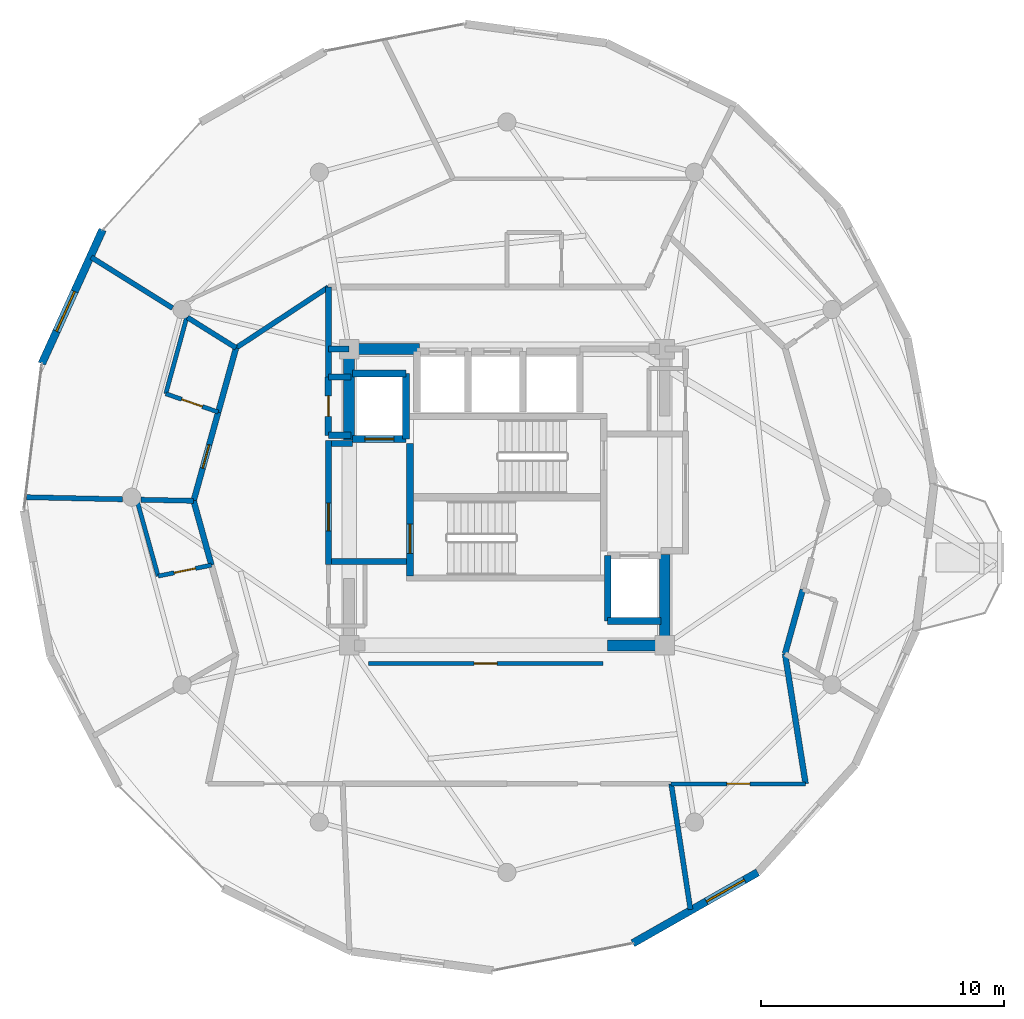
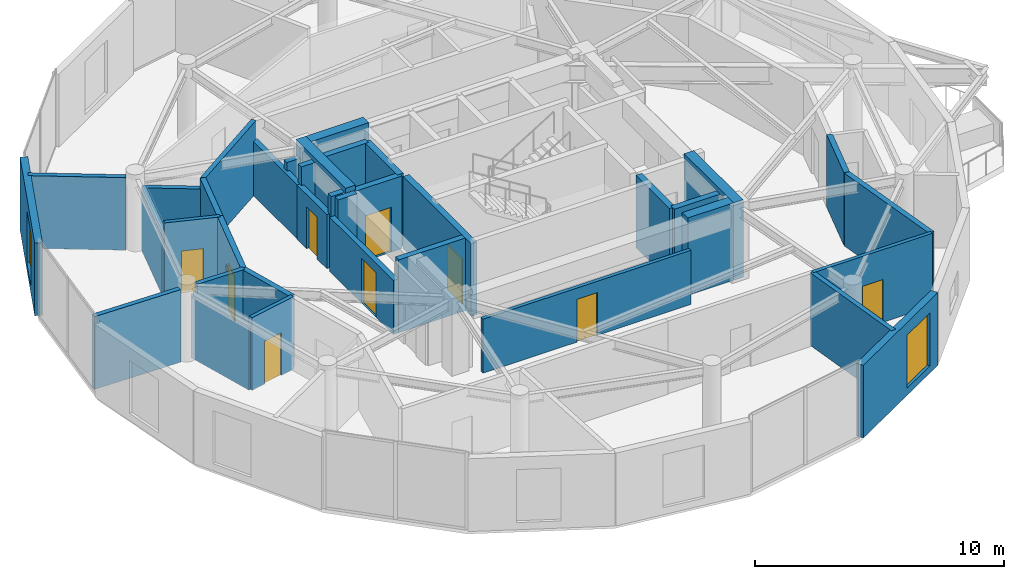
# One storey, part 14 of 18: 37 walls, 9 doors, 2 windows, 11 openings.
"""IFC4 building model written with IfcOpenShell, lengths in metres."""

from ifc_helpers import new_model, si_unit, direction, frame, frame_2d, origin, place, context, subcontext, project, spatial, rectangle, extrude, material, layer, layer_set, type_object, element, fill, save


model = new_model("IFC4")

# Units and contexts
model_context = context("Model", 3, precision=1e-05, world=origin(), true_north=direction((0.0, 1.0)))
body_context = subcontext(model_context, "Body", "Model", "MODEL_VIEW")
ifc_project = project(units=[si_unit("LENGTHUNIT", "METRE"), si_unit("AREAUNIT", "SQUARE_METRE"), si_unit("VOLUMEUNIT", "CUBIC_METRE"), si_unit("PLANEANGLEUNIT", "RADIAN"), si_unit("MASSUNIT", "GRAM", prefix="KILO")], contexts=[model_context])

# Site, building, storey
site_placement = place(None, origin())
site = spatial("IfcSite", under=ifc_project, at=site_placement, CompositionType="ELEMENT")
building_placement = place(site_placement, origin())
building = spatial("IfcBuilding", under=site, at=building_placement, Name="Solvirekh Grand Hotel", CompositionType="ELEMENT")
storey_placement = place(building_placement, frame((0.0, 0.0, 274.39990234375)))
storey = spatial("IfcBuildingStorey", under=building, at=storey_placement, Name="L71", CompositionType="ELEMENT", Elevation=274.39990234375)

# Wall, opening, door
ifc_material_1 = material(Name="Concrete C40/50", Category="concrete")
ifc_layer_1 = layer(ifc_material_1, 0.280029296875)
ifc_layer_set_1 = layer_set([ifc_layer_1], Name="Concrete C40/50")
wall_type_1 = type_object("IfcWallType", Name="CoreShaftWall_RC280", PredefinedType="SOLIDWALL", material=ifc_layer_set_1)
wall_1_placement = place(storey_placement, frame((-6.35009765625, 2.39990234375, 0.0), z_axis=(0.0, 0.0, 1.0), x_axis=(1.0, 0.0, 0.0)))
wall_1 = element("IfcWall", 1, at=wall_1_placement, inside=storey, type_object=wall_type_1, Name="L71 FL-1 hoistway S wall", PredefinedType="SOLIDWALL", context=body_context, shape_type="SweptSolid", body=[
    extrude(rectangle(XDim=2.2001953125, YDim=0.280029296875, at=frame_2d((1.10009765625, 0.0))), origin(), (0.0, 0.0, 1.0), 3.570068359375),
])
opening_1_placement = place(wall_1_placement, frame((0.5, 0.0, 0.0)))
opening_1 = element("IfcOpeningElement", 2, at=opening_1_placement, cuts=wall_1, Name="Opening LD02", PredefinedType="OPENING", context=body_context, shape_type="SweptSolid", body=[
    extrude(rectangle(XDim=1.199951171875, YDim=2.199951171875, at=frame_2d((0.60009765625, 1.10009765625))), frame((0.0, 0.14990234375, 0.0), z_axis=(0.0, -1.0, 0.0), x_axis=(1.0, 0.0, 0.0)), (0.0, 0.0, 1.0), 0.300048828125),
])
ifc_material_2 = material(Name="Fire-Rated Steel Door Assembly", Category="steel")
door_type_1 = type_object("IfcDoorType", Name="Door_LiftFF_1200X2200", OperationType="SLIDING_TO_LEFT", PredefinedType="DOOR", material=ifc_material_2)
door_1_placement = place(opening_1_placement, origin())
door_1 = element("IfcDoor", 3, at=door_1_placement, inside=storey, type_object=door_type_1, Name="L71 FL-1 sliding lift landing door", OperationType="SLIDING_TO_LEFT", OverallHeight=2.199951171875, OverallWidth=1.199951171875, PredefinedType="DOOR", context=body_context, shape_type="SweptSolid", body=[
    extrude(rectangle(XDim=1.199951171875, YDim=2.199951171875, at=frame_2d((0.60009765625, 1.10009765625))), frame((0.0, 0.02490234375, 0.0), z_axis=(0.0, -1.0, 0.0), x_axis=(1.0, 0.0, 0.0)), (0.0, 0.0, 1.0), 0.050048828125),
])
fill(opening_1, door_1)

# Walls
wall_2_placement = place(storey_placement, frame((-4.14990234375, 5.10009765625, 0.0), z_axis=(0.0, 0.0, 1.0), x_axis=(-1.0, 0.0, 0.0)))
element("IfcWall", 4, at=wall_2_placement, inside=storey, type_object=wall_type_1, Name="L71 FL-1 hoistway N wall", PredefinedType="SOLIDWALL", context=body_context, shape_type="SweptSolid", body=[
    extrude(rectangle(XDim=2.2001953125, YDim=0.280029296875, at=frame_2d((1.10009765625, 0.0))), origin(), (0.0, 0.0, 1.0), 3.570068359375),
])
wall_3_placement = place(storey_placement, frame((-4.14990234375, 2.39990234375, 0.0), z_axis=(0.0, 0.0, 1.0), x_axis=(0.0, 1.0, 0.0)))
element("IfcWall", 5, at=wall_3_placement, inside=storey, type_object=wall_type_1, Name="L71 FL-1 hoistway E wall", PredefinedType="SOLIDWALL", context=body_context, shape_type="SweptSolid", body=[
    extrude(rectangle(XDim=2.7001953125, YDim=0.280029296875, at=frame_2d((1.35009765625, 0.0))), origin(), (0.0, 0.0, 1.0), 3.570068359375),
])
wall_4_placement = place(storey_placement, frame((4.14990234375, -5.10009765625, 0.0), z_axis=(0.0, 0.0, 1.0), x_axis=(1.0, 0.0, 0.0)))
element("IfcWall", 6, at=wall_4_placement, inside=storey, type_object=wall_type_1, Name="L71 FL-2 hoistway S wall", PredefinedType="SOLIDWALL", context=body_context, shape_type="SweptSolid", body=[
    extrude(rectangle(XDim=2.2001953125, YDim=0.280029296875, at=frame_2d((1.10009765625, 0.0))), origin(), (0.0, 0.0, 1.0), 3.570068359375),
])
wall_5_placement = place(storey_placement, frame((4.14990234375, -2.39990234375, 0.0), z_axis=(0.0, 0.0, 1.0), x_axis=(0.0, -1.0, 0.0)))
element("IfcWall", 7, at=wall_5_placement, inside=storey, type_object=wall_type_1, Name="L71 FL-2 hoistway W wall", PredefinedType="SOLIDWALL", context=body_context, shape_type="SweptSolid", body=[
    extrude(rectangle(XDim=2.7001953125, YDim=0.280029296875, at=frame_2d((1.35009765625, 0.0))), origin(), (0.0, 0.0, 1.0), 3.570068359375),
])

# Wall, opening, door
wall_6_placement = place(storey_placement, frame((-3.989990234375, -3.25, 0.0), z_axis=(0.0, 0.0, 1.0), x_axis=(0.0, 1.0, 0.0)))
wall_6 = element("IfcWall", 8, at=wall_6_placement, inside=storey, type_object=wall_type_1, Name="L71 west stair landing enclosure wall", PredefinedType="SOLIDWALL", context=body_context, shape_type="SweptSolid", body=[
    extrude(rectangle(XDim=5.4599609375, YDim=0.280029296875, at=frame_2d((2.72998046875, 0.0))), origin(), (0.0, 0.0, 1.0), 3.570068359375),
])
opening_2_placement = place(wall_6_placement, frame((0.93701171875, 0.0, 0.0)))
opening_2 = element("IfcOpeningElement", 9, at=opening_2_placement, cuts=wall_6, Name="Opening D05", PredefinedType="OPENING", context=body_context, shape_type="SweptSolid", body=[
    extrude(rectangle(XDim=1.199951171875, YDim=2.199951171875, at=frame_2d((0.60009765625, 1.10009765625))), frame((0.0, 0.14990234375, 0.0), z_axis=(0.0, -1.0, 0.0), x_axis=(1.0, 0.0, 0.0)), (0.0, 0.0, 1.0), 0.300048828125),
])
door_type_2 = type_object("IfcDoorType", Name="Door_StairCore_1200X2200", OperationType="NOTDEFINED", PredefinedType="DOOR", material=ifc_material_2)
door_2_placement = place(opening_2_placement, origin())
door_2 = element("IfcDoor", 10, at=door_2_placement, inside=storey, type_object=door_type_2, Name="L71 exit stair ST-1 fire door", OperationType="SINGLE_SWING_RIGHT", OverallHeight=2.199951171875, OverallWidth=1.199951171875, PredefinedType="DOOR", context=body_context, shape_type="SweptSolid", body=[
    extrude(rectangle(XDim=1.199951171875, YDim=2.199951171875, at=frame_2d((0.60009765625, 1.10009765625))), frame((0.0, 0.02490234375, 0.0), z_axis=(0.0, -1.0, 0.0), x_axis=(1.0, 0.0, 0.0)), (0.0, 0.0, 1.0), 0.050048828125),
])
fill(opening_2, door_2)

# Walls
ifc_material_3 = material(Name="Concrete C50/60", Category="concrete")
ifc_layer_2 = layer(ifc_material_3, 0.449951171875)
ifc_layer_set_2 = layer_set([ifc_layer_2], Name="Concrete C50/60")
wall_type_2 = type_object("IfcWallType", Name="CoreWall_RC450", PredefinedType="SHEAR", material=ifc_layer_set_2)
wall_7_placement = place(storey_placement, frame((4.14990234375, -6.10009765625, 0.0), z_axis=(0.0, 0.0, 1.0), x_axis=(1.0, 0.0, 0.0)))
element("IfcWall", 11, at=wall_7_placement, inside=storey, type_object=wall_type_2, Name="L71 core corner shear wall SE-S", PredefinedType="SHEAR", context=body_context, shape_type="SweptSolid", body=[
    extrude(rectangle(XDim=2.125, YDim=0.449951171875, at=frame_2d((1.0625, 0.0))), origin(), (0.0, 0.0, 1.0), 3.800048828125),
])
wall_8_placement = place(storey_placement, frame((-6.27490234375, 6.10009765625, 0.0), z_axis=(0.0, 0.0, 1.0), x_axis=(1.0, 0.0, 0.0)))
element("IfcWall", 12, at=wall_8_placement, inside=storey, type_object=wall_type_2, Name="L71 core corner shear wall NW-N", PredefinedType="SHEAR", context=body_context, shape_type="SweptSolid", body=[
    extrude(rectangle(XDim=2.6748046875, YDim=0.449951171875, at=frame_2d((1.33740234375, 0.0))), origin(), (0.0, 0.0, 1.0), 3.800048828125),
])
for number, where, z_axis, x_axis, name in (
    (13, (-6.5, 2.35009765625, 0.0), (0.0, 0.0, 1.0), (0.0, 1.0, 0.0), "L71 core corner shear wall WN-W"),
    (14, (6.5, -6.324951171875, 0.0), (0.0, 0.0, 1.0), (0.0, 1.0, 0.0), "L71 core corner shear wall ES-E"),
):
    element("IfcWall", number, at=place(storey_placement, frame(where, z_axis=z_axis, x_axis=x_axis)), inside=storey, type_object=wall_type_2, Name=name, PredefinedType="SHEAR", context=body_context, shape_type="SweptSolid", body=[
        extrude(rectangle(XDim=3.974853515625, YDim=0.449951171875, at=frame_2d((1.9873046875, 0.0))), origin(), (0.0, 0.0, 1.0), 3.800048828125),
    ])

# Wall, opening, window
ifc_material_4 = material(Name="Precast concrete C45/55", Category="concrete")
ifc_layer_3 = layer(ifc_material_4, 0.320068359375)
ifc_layer_set_3 = layer_set([ifc_layer_3], Name="Precast concrete C45/55")
wall_type_3 = type_object("IfcWallType", Name="ExtLobbyWall_RC320", PredefinedType="SOLIDWALL", material=ifc_layer_set_3)
wall_9_placement = place(storey_placement, frame((10.3291015625, -15.446044921875, 0.0), z_axis=(0.0, 0.0, 1.0), x_axis=(-0.869520200799, -0.493897378413, 0.0)))
wall_9 = element("IfcWall", 15, at=wall_9_placement, inside=storey, type_object=wall_type_3, Name="L71 exterior structural wall chord 2", PredefinedType="SOLIDWALL", context=body_context, shape_type="SweptSolid", body=[
    extrude(rectangle(XDim=5.916015625, YDim=0.320068359375, at=frame_2d((2.9580078125, 0.0))), origin(), (0.0, 0.0, 1.0), 3.570068359375),
])
opening_3_placement = place(wall_9_placement, frame((0.632080078125, 0.0, 0.35009765625)))
opening_3 = element("IfcOpeningElement", 16, at=opening_3_placement, cuts=wall_9, Name="Opening W02", PredefinedType="OPENING", context=body_context, shape_type="SweptSolid", body=[
    extrude(rectangle(XDim=1.800048828125, YDim=2.60009765625, at=frame_2d((0.89990234375, 1.300048828125))), frame((0.0, 0.169921875, 0.0), z_axis=(0.0, -1.0, 0.0), x_axis=(1.0, 0.0, 0.0)), (0.0, 0.0, 1.0), 0.340087890625),
])
ifc_material_5 = material(Name="Low-E Tinted Bronze Laminated Glass", Category="aluminium")
window_type = type_object("IfcWindowType", Name="Win_LobbyExt_1800X2600", PartitioningType="SINGLE_PANEL", PredefinedType="WINDOW", material=ifc_material_5)
window_1_placement = place(opening_3_placement, origin())
window_1 = element("IfcWindow", 17, at=window_1_placement, inside=storey, type_object=window_type, Name="L71 panoramic bronze-framed window 2", OverallHeight=2.60009765625, OverallWidth=1.800048828125, PartitioningType="SINGLE_PANEL", PredefinedType="WINDOW", context=body_context, shape_type="SweptSolid", body=[
    extrude(rectangle(XDim=1.800048828125, YDim=2.60009765625, at=frame_2d((0.89990234375, 1.300048828125))), frame((0.0, 0.030029296875, 0.0), z_axis=(0.0, -1.0, 0.0), x_axis=(1.0, 0.0, 0.0)), (0.0, 0.0, 1.0), 0.06005859375),
])
fill(opening_3, window_1)

wall_10_placement = place(storey_placement, frame((-19.15087890625, 5.5, 0.0), z_axis=(0.0, 0.0, 1.0), x_axis=(0.413325805639, 0.910583207836, 0.0)))
wall_10 = element("IfcWall", 18, at=wall_10_placement, inside=storey, type_object=wall_type_3, Name="L71 exterior structural wall chord 14", PredefinedType="SOLIDWALL", context=body_context, shape_type="SweptSolid", body=[
    extrude(rectangle(XDim=6.05322265625, YDim=0.320068359375, at=frame_2d((3.026611328125, 0.0))), origin(), (0.0, 0.0, 1.0), 3.570068359375),
])
opening_4_placement = place(wall_10_placement, frame((1.466064453125, 0.0, 0.35009765625)))
opening_4 = element("IfcOpeningElement", 19, at=opening_4_placement, cuts=wall_10, Name="Opening W02", PredefinedType="OPENING", context=body_context, shape_type="SweptSolid", body=[
    extrude(rectangle(XDim=1.800048828125, YDim=2.60009765625, at=frame_2d((0.89990234375, 1.300048828125))), frame((0.0, 0.169921875, 0.0), z_axis=(0.0, -1.0, 0.0), x_axis=(1.0, 0.0, 0.0)), (0.0, 0.0, 1.0), 0.340087890625),
])
window_2_placement = place(opening_4_placement, origin())
window_2 = element("IfcWindow", 20, at=window_2_placement, inside=storey, type_object=window_type, Name="L71 panoramic bronze-framed window 14", OverallHeight=2.60009765625, OverallWidth=1.800048828125, PartitioningType="SINGLE_PANEL", PredefinedType="WINDOW", context=body_context, shape_type="SweptSolid", body=[
    extrude(rectangle(XDim=1.800048828125, YDim=2.60009765625, at=frame_2d((0.89990234375, 1.300048828125))), frame((0.0, 0.030029296875, 0.0), z_axis=(0.0, -1.0, 0.0), x_axis=(1.0, 0.0, 0.0)), (0.0, 0.0, 1.0), 0.06005859375),
])
fill(opening_4, window_2)

# Wall, opening, door
ifc_material_6 = material(Name="Acoustic Gypsum Partition Assembly")
ifc_layer_4 = layer(ifc_material_6, 0.1650390625)
ifc_layer_set_4 = layer_set([ifc_layer_4], Name="Acoustic Gypsum Partition Assembly")
wall_type_4 = type_object("IfcWallType", Name="Part_BOH_165", PredefinedType="PARTITIONING", material=ifc_layer_set_4)
wall_11_placement = place(storey_placement, frame((-5.699951171875, -6.85009765625, 0.0), z_axis=(0.0, 0.0, 1.0), x_axis=(1.0, 0.0, 0.0)))
wall_11 = element("IfcWall", 21, at=wall_11_placement, inside=storey, type_object=wall_type_4, Name="L71 Housekeeping & Linen Store wall 1", PredefinedType="PARTITIONING", context=body_context, shape_type="SweptSolid", body=[
    extrude(rectangle(XDim=9.64990234375, YDim=0.1650390625, at=frame_2d((4.824951171875, 0.0))), origin(), (0.0, 0.0, 1.0), 2.655029296875),
])
opening_5_placement = place(wall_11_placement, frame((4.35009765625, 0.0, 0.0)))
opening_5 = element("IfcOpeningElement", 22, at=opening_5_placement, cuts=wall_11, Name="Opening D10", PredefinedType="OPENING", context=body_context, shape_type="SweptSolid", body=[
    extrude(rectangle(XDim=0.949951171875, YDim=2.10009765625, at=frame_2d((0.47509765625, 1.050048828125))), frame((0.0, 0.092529296875, 0.0), z_axis=(0.0, -1.0, 0.0), x_axis=(1.0, 0.0, 0.0)), (0.0, 0.0, 1.0), 0.18505859375),
])
ifc_material_7 = material(Name="Anodized Bronze Aluminium 6063-T6", Category="aluminium")
door_type_3 = type_object("IfcDoorType", Name="Door_RoomInt_950X2100", OperationType="NOTDEFINED", PredefinedType="DOOR", material=ifc_material_7)
door_3_placement = place(opening_5_placement, origin())
door_3 = element("IfcDoor", 23, at=door_3_placement, inside=storey, type_object=door_type_3, Name="L71 Housekeeping & Linen Store door", OperationType="SINGLE_SWING_LEFT", OverallHeight=2.10009765625, OverallWidth=0.949951171875, PredefinedType="DOOR", context=body_context, shape_type="SweptSolid", body=[
    extrude(rectangle(XDim=0.949951171875, YDim=2.10009765625, at=frame_2d((0.47509765625, 1.050048828125))), frame((0.0, 0.02490234375, 0.0), z_axis=(0.0, -1.0, 0.0), x_axis=(1.0, 0.0, 0.0)), (0.0, 0.0, 1.0), 0.050048828125),
])
fill(opening_5, door_3)

wall_12_placement = place(storey_placement, frame((6.764892578125, -11.800048828125, 0.0), z_axis=(0.0, 0.0, 1.0), x_axis=(1.0, 0.0, 0.0)))
wall_12 = element("IfcWall", 24, at=wall_12_placement, inside=storey, type_object=wall_type_4, Name="L71 L71 Butler Valet & Linen Steward Room entrance wall", PredefinedType="PARTITIONING", context=body_context, shape_type="SweptSolid", body=[
    extrude(rectangle(XDim=5.53515625, YDim=0.1650390625, at=frame_2d((2.767578125, 0.0))), origin(), (0.0, 0.0, 1.0), 3.570068359375),
])
opening_6_placement = place(wall_12_placement, frame((2.29296875, 0.0, 0.0)))
opening_6 = element("IfcOpeningElement", 25, at=opening_6_placement, cuts=wall_12, Name="Opening D10", PredefinedType="OPENING", context=body_context, shape_type="SweptSolid", body=[
    extrude(rectangle(XDim=0.949951171875, YDim=2.10009765625, at=frame_2d((0.47509765625, 1.050048828125))), frame((0.0, 0.092529296875, 0.0), z_axis=(0.0, -1.0, 0.0), x_axis=(1.0, 0.0, 0.0)), (0.0, 0.0, 1.0), 0.18505859375),
])
door_4_placement = place(opening_6_placement, origin())
door_4 = element("IfcDoor", 26, at=door_4_placement, inside=storey, type_object=door_type_3, Name="L71 L71 Butler Valet & Linen Steward Room entrance door", OperationType="SINGLE_SWING_RIGHT", OverallHeight=2.10009765625, OverallWidth=0.949951171875, PredefinedType="DOOR", context=body_context, shape_type="SweptSolid", body=[
    extrude(rectangle(XDim=0.949951171875, YDim=2.10009765625, at=frame_2d((0.47509765625, 1.050048828125))), frame((0.0, 0.02490234375, 0.0), z_axis=(0.0, -1.0, 0.0), x_axis=(1.0, 0.0, 0.0)), (0.0, 0.0, 1.0), 0.050048828125),
])
fill(opening_6, door_4)

ifc_layer_5 = layer(ifc_material_6, 0.239990234375)
ifc_layer_set_5 = layer_set([ifc_layer_5], Name="Acoustic Gypsum Partition Assembly")
wall_type_5 = type_object("IfcWallType", Name="Part_Corridor_240", PredefinedType="PARTITIONING", material=ifc_layer_set_5)
wall_13_placement = place(storey_placement, frame((-7.35009765625, -2.780029296875, 0.0), z_axis=(0.0, 0.0, 1.0), x_axis=(0.0, 1.0, 0.0)))
wall_13 = element("IfcWall", 27, at=wall_13_placement, inside=storey, type_object=wall_type_5, Name="L71 west firefighting lobby smoke screen wall", PredefinedType="PARTITIONING", context=body_context, shape_type="SweptSolid", body=[
    extrude(rectangle(XDim=5.1201171875, YDim=0.239990234375, at=frame_2d((2.56005859375, 0.0))), origin(), (0.0, 0.0, 1.0), 2.655029296875),
])
opening_7_placement = place(wall_13_placement, frame((1.388916015625, 0.0, 0.0)))
opening_7 = element("IfcOpeningElement", 28, at=opening_7_placement, cuts=wall_13, Name="Opening D06", PredefinedType="OPENING", context=body_context, shape_type="SweptSolid", body=[
    extrude(rectangle(XDim=1.14990234375, YDim=2.199951171875, at=frame_2d((0.574951171875, 1.10009765625))), frame((0.0, 0.1298828125, 0.0), z_axis=(0.0, -1.0, 0.0), x_axis=(1.0, 0.0, 0.0)), (0.0, 0.0, 1.0), 0.260009765625),
])
door_type_4 = type_object("IfcDoorType", Name="Door_FFLobby_1150X2200", OperationType="NOTDEFINED", PredefinedType="DOOR", material=ifc_material_2)
door_5_placement = place(opening_7_placement, origin())
door_5 = element("IfcDoor", 29, at=door_5_placement, inside=storey, type_object=door_type_4, Name="L71 west firefighting lobby smoke door", OperationType="SINGLE_SWING_RIGHT", OverallHeight=2.199951171875, OverallWidth=1.14990234375, PredefinedType="DOOR", context=body_context, shape_type="SweptSolid", body=[
    extrude(rectangle(XDim=1.14990234375, YDim=2.199951171875, at=frame_2d((0.574951171875, 1.10009765625))), frame((0.0, 0.02490234375, 0.0), z_axis=(0.0, -1.0, 0.0), x_axis=(1.0, 0.0, 0.0)), (0.0, 0.0, 1.0), 0.050048828125),
])
fill(opening_7, door_5)

# Walls
wall_14_placement = place(storey_placement, frame((-7.35009765625, 4.949951171875, 0.0), z_axis=(0.0, 0.0, 1.0), x_axis=(0.0, 1.0, 0.0)))
element("IfcWall", 30, at=wall_14_placement, inside=storey, type_object=wall_type_5, Name="L71 north lift lobby west wall", PredefinedType="PARTITIONING", context=body_context, shape_type="SweptSolid", body=[
    extrude(rectangle(XDim=3.699951171875, YDim=0.239990234375, at=frame_2d((1.85009765625, 0.0))), origin(), (0.0, 0.0, 1.0), 2.655029296875),
])
wall_15_placement = place(storey_placement, frame((-7.35009765625, 6.10009765625, 0.0), z_axis=(0.0, 0.0, 1.0), x_axis=(1.0, 0.0, 0.0)))
element("IfcWall", 31, at=wall_15_placement, inside=storey, type_object=wall_type_5, Name="L71 NW core corner closure wall", PredefinedType="PARTITIONING", context=body_context, shape_type="SweptSolid", body=[
    extrude(rectangle(XDim=0.85009765625, YDim=0.239990234375, at=frame_2d((0.425048828125, 0.0))), origin(), (0.0, 0.0, 1.0), 3.086181640625),
])
wall_16_placement = place(storey_placement, frame((-11.152099609375, 6.14990234375, 0.0), z_axis=(0.0, 0.0, 1.0), x_axis=(-0.267267816759, -0.963622288101, 0.0)))
element("IfcWall", 32, at=wall_16_placement, inside=storey, type_object=wall_type_5, Name="L71 En-suite Bathroom 7302 corridor backing wall", PredefinedType="PARTITIONING", context=body_context, shape_type="SweptSolid", body=[
    extrude(rectangle(XDim=2.745849609375, YDim=0.239990234375, at=frame_2d((1.373046875, 0.0))), origin(), (0.0, 0.0, 1.0), 3.570068359375),
])

# Wall, opening, door
wall_17_placement = place(storey_placement, frame((-11.885986328125, 3.50390625, 0.0), z_axis=(0.0, 0.0, 1.0), x_axis=(-0.267391479621, -0.96358798074, 0.0)))
wall_17 = element("IfcWall", 33, at=wall_17_placement, inside=storey, type_object=wall_type_5, Name="L71 Deluxe Guestroom 7302 entrance wall", PredefinedType="PARTITIONING", context=body_context, shape_type="SweptSolid", body=[
    extrude(rectangle(XDim=3.7919921875, YDim=0.239990234375, at=frame_2d((1.89599609375, 0.0))), origin(), (0.0, 0.0, 1.0), 3.570068359375),
])
opening_8_placement = place(wall_17_placement, frame((1.39599609375, 0.0, 0.0)))
opening_8 = element("IfcOpeningElement", 34, at=opening_8_placement, cuts=wall_17, Name="Opening D07", PredefinedType="OPENING", context=body_context, shape_type="SweptSolid", body=[
    extrude(rectangle(XDim=1.0, YDim=2.199951171875, at=frame_2d((0.5, 1.10009765625))), frame((0.0, 0.1298828125, 0.0), z_axis=(0.0, -1.0, 0.0), x_axis=(1.0, 0.0, 0.0)), (0.0, 0.0, 1.0), 0.260009765625),
])
door_type_5 = type_object("IfcDoorType", Name="Door_GuestEntry_1000X2200", OperationType="NOTDEFINED", PredefinedType="DOOR", material=ifc_material_2)
door_6_placement = place(opening_8_placement, origin())
door_6 = element("IfcDoor", 35, at=door_6_placement, inside=storey, type_object=door_type_5, Name="L71 Deluxe Guestroom 7302 entrance door", OperationType="SINGLE_SWING_LEFT", OverallHeight=2.199951171875, OverallWidth=1.0, PredefinedType="DOOR", context=body_context, shape_type="SweptSolid", body=[
    extrude(rectangle(XDim=1.0, YDim=2.199951171875, at=frame_2d((0.5, 1.10009765625))), frame((0.0, 0.02490234375, 0.0), z_axis=(0.0, -1.0, 0.0), x_axis=(1.0, 0.0, 0.0)), (0.0, 0.0, 1.0), 0.050048828125),
])
fill(opening_8, door_6)

# Walls
for number, where, z_axis, x_axis, name in (
    (36, (-12.89990234375, -0.14990234375, 0.0), (0.0, 0.0, 1.0), (0.267267816759, -0.963622288101, 0.0), "L71 En-suite Bathroom 7303 corridor backing wall"),
    (37, (11.451904296875, -6.449951171875, 0.0), (0.0, 0.0, 1.0), (0.267350374135, 0.963599386389, 0.0), "L71 En-suite Bathroom 7304 corridor backing wall"),
):
    element("IfcWall", number, at=place(storey_placement, frame(where, z_axis=z_axis, x_axis=x_axis)), inside=storey, type_object=wall_type_5, Name=name, PredefinedType="PARTITIONING", context=body_context, shape_type="SweptSolid", body=[
        extrude(rectangle(XDim=2.745849609375, YDim=0.239990234375, at=frame_2d((1.373046875, 0.0))), origin(), (0.0, 0.0, 1.0), 3.570068359375),
    ])
wall_18_placement = place(storey_placement, frame((12.300048828125, -11.800048828125, 0.0), z_axis=(0.0, 0.0, 1.0), x_axis=(-0.156573548098, 0.987666301964, 0.0)))
element("IfcWall", 38, at=wall_18_placement, inside=storey, type_object=wall_type_5, Name="L71 L71 Butler Valet & Linen Steward Room corridor wall 1", PredefinedType="PARTITIONING", context=body_context, shape_type="SweptSolid", body=[
    extrude(rectangle(XDim=5.4169921875, YDim=0.239990234375, at=frame_2d((2.70849609375, 0.0))), origin(), (0.0, 0.0, 1.0), 3.570068359375),
])
ifc_layer_6 = layer(ifc_material_6, 0.260009765625)
ifc_layer_set_6 = layer_set([ifc_layer_6], Name="Acoustic Gypsum Partition Assembly")
wall_type_6 = type_object("IfcWallType", Name="Part_LobbyFF_260", PredefinedType="PARTITIONING", material=ifc_layer_set_6)
wall_19_placement = place(storey_placement, frame((-7.22509765625, -2.64990234375, 0.0), z_axis=(0.0, 0.0, 1.0), x_axis=(1.0, 0.0, 0.0)))
element("IfcWall", 39, at=wall_19_placement, inside=storey, type_object=wall_type_6, Name="L71 west firefighting lobby south partition", PredefinedType="PARTITIONING", context=body_context, shape_type="SweptSolid", body=[
    extrude(rectangle(XDim=3.09521484375, YDim=0.260009765625, at=frame_2d((1.547607421875, 0.0))), origin(), (0.0, 0.0, 1.0), 3.570068359375),
])
wall_20_placement = place(storey_placement, frame((-7.22509765625, 2.2099609375, 0.0), z_axis=(0.0, 0.0, 1.0), x_axis=(1.0, 0.0, 0.0)))
element("IfcWall", 40, at=wall_20_placement, inside=storey, type_object=wall_type_6, Name="L71 west firefighting lobby NW cheek", PredefinedType="PARTITIONING", context=body_context, shape_type="SweptSolid", body=[
    extrude(rectangle(XDim=0.875, YDim=0.260009765625, at=frame_2d((0.4375, 0.0))), origin(), (0.0, 0.0, 1.0), 3.570068359375),
])
for number, where, z_axis, x_axis, name in (
    (41, (-7.35009765625, 4.949951171875, 0.0), (0.0, 0.0, 1.0), (1.0, 0.0, 0.0), "L71 NW telecom metering cupboard north wall"),
    (42, (-7.35009765625, 2.550048828125, 0.0), (0.0, 0.0, 1.0), (1.0, 0.0, 0.0), "L71 NW telecom metering cupboard south wall"),
):
    element("IfcWall", number, at=place(storey_placement, frame(where, z_axis=z_axis, x_axis=x_axis)), inside=storey, type_object=wall_type_6, Name=name, PredefinedType="PARTITIONING", context=body_context, shape_type="SweptSolid", body=[
        extrude(rectangle(XDim=0.93017578125, YDim=0.260009765625, at=frame_2d((0.465087890625, 0.0))), origin(), (0.0, 0.0, 1.0), 3.570068359375),
    ])

# Wall, opening, door
wall_21_placement = place(storey_placement, frame((-7.35009765625, 2.550048828125, 0.0), z_axis=(0.0, 0.0, 1.0), x_axis=(0.0, 1.0, 0.0)))
wall_21 = element("IfcWall", 43, at=wall_21_placement, inside=storey, type_object=wall_type_6, Name="L71 NW telecom metering cupboard access wall", PredefinedType="PARTITIONING", context=body_context, shape_type="SweptSolid", body=[
    extrude(rectangle(XDim=2.39990234375, YDim=0.260009765625, at=frame_2d((1.199951171875, 0.0))), origin(), (0.0, 0.0, 1.0), 2.655029296875),
])
opening_9_placement = place(wall_21_placement, frame((0.77490234375, 0.0, 0.0)))
opening_9 = element("IfcOpeningElement", 44, at=opening_9_placement, cuts=wall_21, Name="Opening D13", PredefinedType="OPENING", context=body_context, shape_type="SweptSolid", body=[
    extrude(rectangle(XDim=0.85009765625, YDim=2.050048828125, at=frame_2d((0.425048828125, 1.02490234375))), frame((0.0, 0.14013671875, 0.0), z_axis=(0.0, -1.0, 0.0), x_axis=(1.0, 0.0, 0.0)), (0.0, 0.0, 1.0), 0.280029296875),
])
door_type_6 = type_object("IfcDoorType", Name="Door_RiserShaft_850X2050", OperationType="NOTDEFINED", PredefinedType="DOOR", material=ifc_material_2)
door_7_placement = place(opening_9_placement, origin())
door_7 = element("IfcDoor", 45, at=door_7_placement, inside=storey, type_object=door_type_6, Name="L71 telecom metering cupboard access door", OperationType="SINGLE_SWING_RIGHT", OverallHeight=2.050048828125, OverallWidth=0.85009765625, PredefinedType="DOOR", context=body_context, shape_type="SweptSolid", body=[
    extrude(rectangle(XDim=0.85009765625, YDim=2.050048828125, at=frame_2d((0.425048828125, 1.02490234375))), frame((0.0, 0.02490234375, 0.0), z_axis=(0.0, -1.0, 0.0), x_axis=(1.0, 0.0, 0.0)), (0.0, 0.0, 1.0), 0.050048828125),
])
fill(opening_9, door_7)

# Walls
ifc_layer_7 = layer(ifc_material_6, 0.2099609375)
ifc_layer_set_7 = layer_set([ifc_layer_7], Name="Acoustic Gypsum Partition Assembly")
wall_type_7 = type_object("IfcWallType", Name="Part_SuiteDemise_210", PredefinedType="PARTITIONING", material=ifc_layer_set_7)
wall_22_placement = place(storey_placement, frame((-11.152099609375, 6.14990234375, 0.0), z_axis=(0.0, 0.0, 1.0), x_axis=(-0.847696016943, 0.530482292692, 0.0)))
element("IfcWall", 46, at=wall_22_placement, inside=storey, type_object=wall_type_7, Name="L71 suite radial wall 6 (A)", PredefinedType="PARTITIONING", context=body_context, shape_type="SweptSolid", body=[
    extrude(rectangle(XDim=2.360595703125, YDim=0.2099609375, at=frame_2d((1.18017578125, 0.0))), origin(), (0.0, 0.0, 1.0), 3.086181640625),
])
wall_23_placement = place(storey_placement, frame((-13.77001953125, 7.7880859375, 0.0), z_axis=(0.0, 0.0, 1.0), x_axis=(-0.84770992622, 0.530460065404, 0.0)))
element("IfcWall", 47, at=wall_23_placement, inside=storey, type_object=wall_type_7, Name="L71 suite radial wall 6 (B)", PredefinedType="PARTITIONING", context=body_context, shape_type="SweptSolid", body=[
    extrude(rectangle(XDim=3.949462890625, YDim=0.2099609375, at=frame_2d((1.974609375, 0.0))), origin(), (0.0, 0.0, 1.0), 3.570068359375),
])
wall_24_placement = place(storey_placement, frame((-12.89990234375, -0.14990234375, 0.0), z_axis=(0.0, 0.0, 1.0), x_axis=(-0.999766597487, 0.021604410435, 0.0)))
element("IfcWall", 48, at=wall_24_placement, inside=storey, type_object=wall_type_7, Name="L71 suite radial wall 7 (A)", PredefinedType="PARTITIONING", context=body_context, shape_type="SweptSolid", body=[
    extrude(rectangle(XDim=2.169677734375, YDim=0.2099609375, at=frame_2d((1.0849609375, 0.0))), origin(), (0.0, 0.0, 1.0), 3.570068359375),
])
wall_25_placement = place(storey_placement, frame((-15.8359375, -0.0859375, 0.0), z_axis=(0.0, 0.0, 1.0), x_axis=(-0.999763292221, 0.021756827132, 0.0)))
element("IfcWall", 49, at=wall_25_placement, inside=storey, type_object=wall_type_7, Name="L71 suite radial wall 7 (B)", PredefinedType="PARTITIONING", context=body_context, shape_type="SweptSolid", body=[
    extrude(rectangle(XDim=3.949951171875, YDim=0.2099609375, at=frame_2d((1.97509765625, 0.0))), origin(), (0.0, 0.0, 1.0), 3.570068359375),
])
wall_26_placement = place(storey_placement, frame((-11.152099609375, 6.14990234375, 0.0), z_axis=(0.0, 0.0, 1.0), x_axis=(0.835549960432, 0.549414473437, 0.0)))
element("IfcWall", 50, at=wall_26_placement, inside=storey, type_object=wall_type_7, Name="L71 Panorama Suite 7301 Inner Suite Lounge dividing partition 1", PredefinedType="PARTITIONING", context=body_context, shape_type="SweptSolid", body=[
    extrude(rectangle(XDim=4.55029296875, YDim=0.2099609375, at=frame_2d((2.275146484375, 0.0))), origin(), (0.0, 0.0, 1.0), 3.570068359375),
])
wall_27_placement = place(storey_placement, frame((6.764892578125, -11.800048828125, 0.0), z_axis=(0.0, 0.0, 1.0), x_axis=(0.15150701221, -0.988456182767, 0.0)))
element("IfcWall", 51, at=wall_27_placement, inside=storey, type_object=wall_type_7, Name="L71 L71 Riverfront Reading Lounge dividing partition 1", PredefinedType="PARTITIONING", context=body_context, shape_type="SweptSolid", body=[
    extrude(rectangle(XDim=5.235595703125, YDim=0.2099609375, at=frame_2d((2.61767578125, 0.0))), origin(), (0.0, 0.0, 1.0), 3.570068359375),
])
ifc_layer_8 = layer(ifc_material_6, 0.175048828125)
ifc_layer_set_8 = layer_set([ifc_layer_8], Name="Acoustic Gypsum Partition Assembly")
wall_type_8 = type_object("IfcWallType", Name="Plumb_Ensuite_175", PredefinedType="PLUMBINGWALL", material=ifc_layer_set_8)
wall_28_placement = place(storey_placement, frame((-13.179931640625, 7.4189453125, 0.0), z_axis=(0.0, 0.0, 1.0), x_axis=(-0.264530676723, -0.96437727113, 0.0)))
element("IfcWall", 52, at=wall_28_placement, inside=storey, type_object=wall_type_8, Name="L71 En-suite Bathroom 7302 outer plumbing wall", PredefinedType="PLUMBINGWALL", context=body_context, shape_type="SweptSolid", body=[
    extrude(rectangle(XDim=3.273681640625, YDim=0.175048828125, at=frame_2d((1.63671875, 0.0))), origin(), (0.0, 0.0, 1.0), 3.13818359375),
])

# Wall, opening, door
wall_29_placement = place(storey_placement, frame((-11.885986328125, 3.50390625, 0.0), z_axis=(0.0, 0.0, 1.0), x_axis=(-0.943573673541, 0.331162682982, 0.0)))
wall_29 = element("IfcWall", 53, at=wall_29_placement, inside=storey, type_object=wall_type_8, Name="L71 En-suite Bathroom 7302 entry plumbing wall", PredefinedType="PLUMBINGWALL", context=body_context, shape_type="SweptSolid", body=[
    extrude(rectangle(XDim=2.2890625, YDim=0.175048828125, at=frame_2d((1.14453125, 0.0))), origin(), (0.0, 0.0, 1.0), 3.570068359375),
])
opening_10_placement = place(wall_29_placement, frame((0.695068359375, 0.0, 0.0)))
opening_10 = element("IfcOpeningElement", 54, at=opening_10_placement, cuts=wall_29, Name="Opening D09", PredefinedType="OPENING", context=body_context, shape_type="SweptSolid", body=[
    extrude(rectangle(XDim=0.89990234375, YDim=2.10009765625, at=frame_2d((0.449951171875, 1.050048828125))), frame((0.0, 0.09765625, 0.0), z_axis=(0.0, -1.0, 0.0), x_axis=(1.0, 0.0, 0.0)), (0.0, 0.0, 1.0), 0.195068359375),
])
door_type_7 = type_object("IfcDoorType", Name="Door_Ensuite_900X2100", OperationType="NOTDEFINED", PredefinedType="DOOR", material=ifc_material_7)
door_8_placement = place(opening_10_placement, origin())
door_8 = element("IfcDoor", 55, at=door_8_placement, inside=storey, type_object=door_type_7, Name="L71 En-suite Bathroom 7302 door", OperationType="SINGLE_SWING_RIGHT", OverallHeight=2.10009765625, OverallWidth=0.89990234375, PredefinedType="DOOR", context=body_context, shape_type="SweptSolid", body=[
    extrude(rectangle(XDim=0.89990234375, YDim=2.10009765625, at=frame_2d((0.449951171875, 1.050048828125))), frame((0.0, 0.02490234375, 0.0), z_axis=(0.0, -1.0, 0.0), x_axis=(1.0, 0.0, 0.0)), (0.0, 0.0, 1.0), 0.050048828125),
])
fill(opening_10, door_8)

# Wall
wall_30_placement = place(storey_placement, frame((-15.240966796875, -0.09912109375, 0.0), z_axis=(0.0, 0.0, 1.0), x_axis=(0.268760309985, -0.963207088729, 0.0)))
element("IfcWall", 56, at=wall_30_placement, inside=storey, type_object=wall_type_8, Name="L71 En-suite Bathroom 7303 outer plumbing wall", PredefinedType="PLUMBINGWALL", context=body_context, shape_type="SweptSolid", body=[
    extrude(rectangle(XDim=3.270263671875, YDim=0.175048828125, at=frame_2d((1.63525390625, 0.0))), origin(), (0.0, 0.0, 1.0), 3.13818359375),
])

# Wall, opening, door
wall_31_placement = place(storey_placement, frame((-12.166015625, -2.7958984375, 0.0), z_axis=(0.0, 0.0, 1.0), x_axis=(-0.979369033548, -0.202079925099, 0.0)))
wall_31 = element("IfcWall", 57, at=wall_31_placement, inside=storey, type_object=wall_type_8, Name="L71 En-suite Bathroom 7303 entry plumbing wall", PredefinedType="PLUMBINGWALL", context=body_context, shape_type="SweptSolid", body=[
    extrude(rectangle(XDim=2.2421875, YDim=0.175048828125, at=frame_2d((1.12109375, 0.0))), origin(), (0.0, 0.0, 1.0), 3.570068359375),
])
opening_11_placement = place(wall_31_placement, frame((0.6708984375, 0.0, 0.0)))
opening_11 = element("IfcOpeningElement", 58, at=opening_11_placement, cuts=wall_31, Name="Opening D09", PredefinedType="OPENING", context=body_context, shape_type="SweptSolid", body=[
    extrude(rectangle(XDim=0.89990234375, YDim=2.10009765625, at=frame_2d((0.449951171875, 1.050048828125))), frame((0.0, 0.09765625, 0.0), z_axis=(0.0, -1.0, 0.0), x_axis=(1.0, 0.0, 0.0)), (0.0, 0.0, 1.0), 0.195068359375),
])
door_9_placement = place(opening_11_placement, origin())
door_9 = element("IfcDoor", 59, at=door_9_placement, inside=storey, type_object=door_type_7, Name="L71 En-suite Bathroom 7303 door", OperationType="SINGLE_SWING_RIGHT", OverallHeight=2.10009765625, OverallWidth=0.89990234375, PredefinedType="DOOR", context=body_context, shape_type="SweptSolid", body=[
    extrude(rectangle(XDim=0.89990234375, YDim=2.10009765625, at=frame_2d((0.449951171875, 1.050048828125))), frame((0.0, 0.02490234375, 0.0), z_axis=(0.0, -1.0, 0.0), x_axis=(1.0, 0.0, 0.0)), (0.0, 0.0, 1.0), 0.050048828125),
])
fill(opening_11, door_9)

save(model, "model.ifc")
